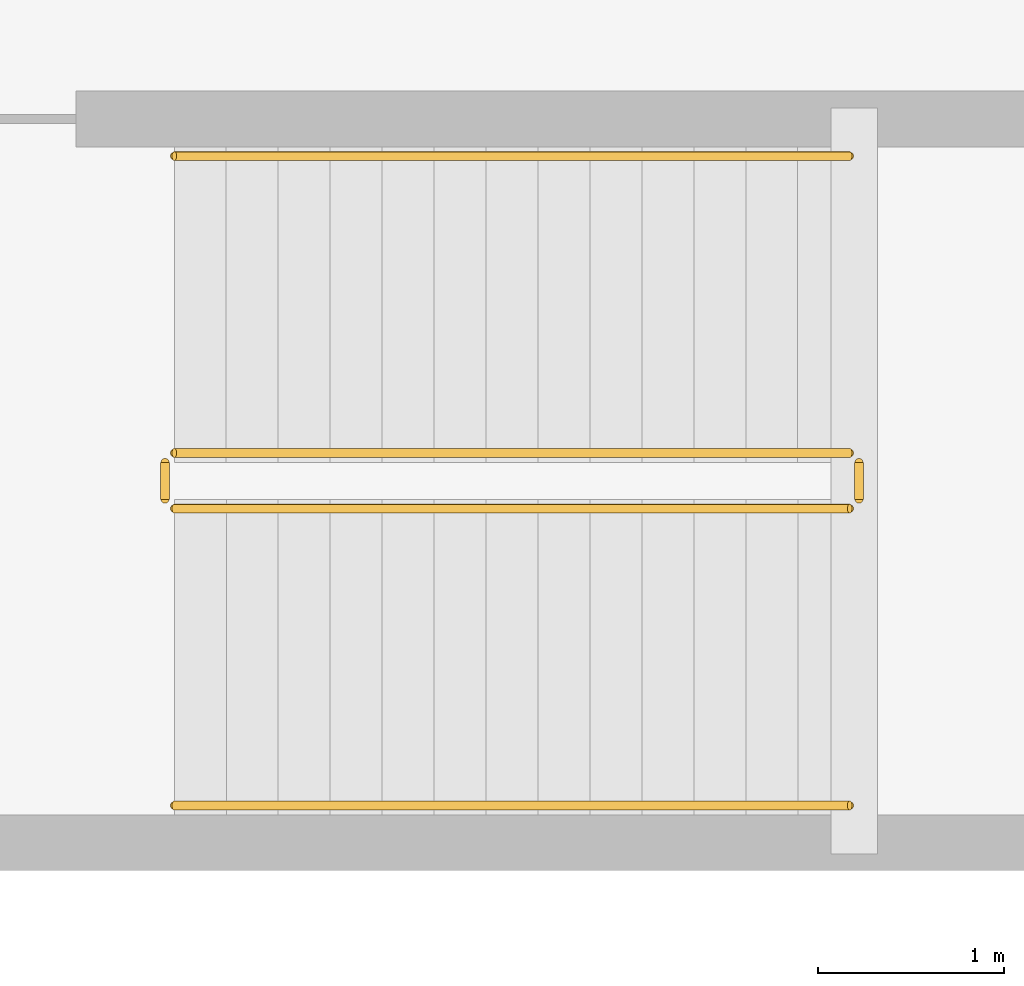
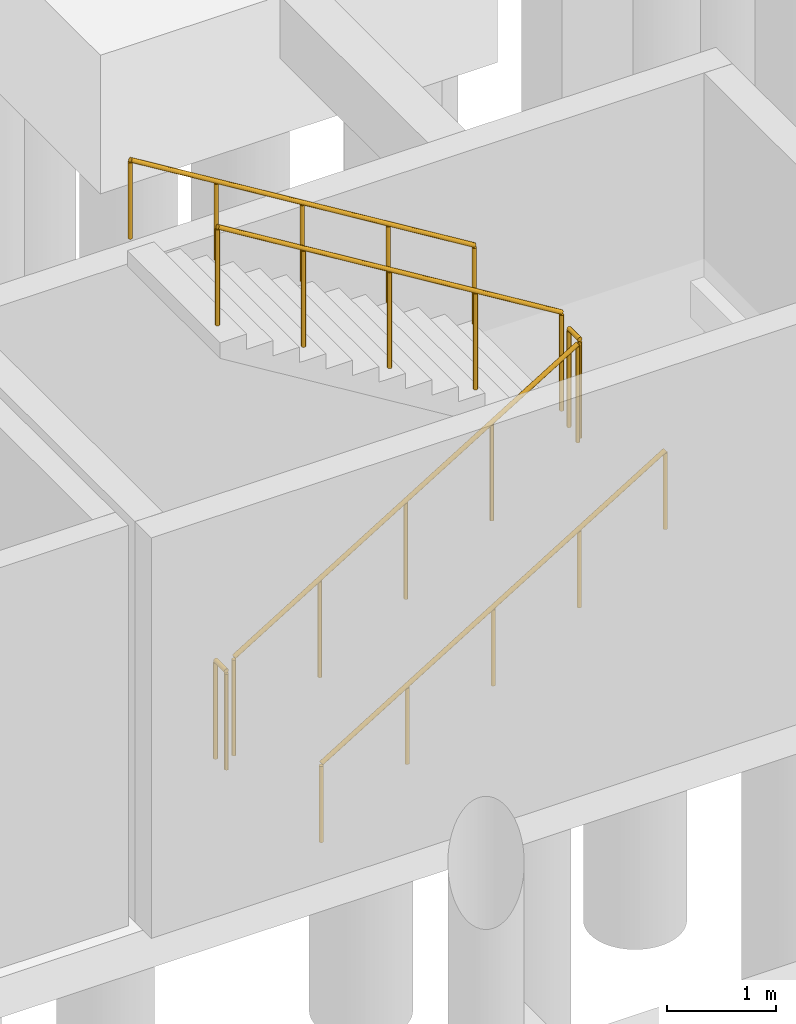
# One storey, part 32 of 35: 6 railings.
"""IFC4 building model written with IfcOpenShell, lengths in metres."""

from ifc_helpers import new_model, si_unit, direction, frame, origin, origin_2d, place, context, subcontext, project, spatial, circle, extrude, material, type_object, element, save


model = new_model("IFC4")

# Units and contexts
model_context = context("Model", 3, precision=1e-05, world=origin(), true_north=direction((0.0, 1.0)))
body_context = subcontext(model_context, "Body", "Model", "MODEL_VIEW")
ifc_project = project(units=[si_unit("LENGTHUNIT", "METRE"), si_unit("AREAUNIT", "SQUARE_METRE"), si_unit("VOLUMEUNIT", "CUBIC_METRE"), si_unit("PLANEANGLEUNIT", "RADIAN"), si_unit("MASSUNIT", "GRAM", prefix="KILO"), si_unit("THERMODYNAMICTEMPERATUREUNIT", "KELVIN"), si_unit("POWERUNIT", "WATT")], contexts=[model_context])

# Site, building, storey
site_placement = place(None, origin())
site = spatial("IfcSite", under=ifc_project, at=site_placement, CompositionType="ELEMENT")
building_placement = place(site_placement, origin())
building = spatial("IfcBuilding", under=site, at=building_placement, Name="Kaldorven Railside Theatre", CompositionType="ELEMENT")
storey_placement = place(building_placement, frame((0.0, 0.0, -4.800048828125)))
storey = spatial("IfcBuildingStorey", under=building, at=storey_placement, Name="B1", CompositionType="ELEMENT", Elevation=-4.800048828125)

# Railings
ifc_material = material(Name="Steel S355", Category="steel")
railing_type_1 = type_object("IfcRailingType", Name="RLG-STG-1100", PredefinedType="BALUSTRADE", material=ifc_material)
railing_1_placement = place(storey_placement, frame((109.25, 21.0, 0.17138671875)))
element("IfcRailing", 1, at=railing_1_placement, inside=storey, type_object=railing_type_1, Name="B1 ST-04 stair guard 1", PredefinedType="BALUSTRADE", context=body_context, shape_type="SweptSolid", body=[
    extrude(circle(Radius=0.02392578125, at=origin_2d()), frame((0.0, 0.0, 1.09619140625), z_axis=(0.852824790078, 0.0, 0.522197163366), x_axis=(0.0, 1.0, 0.0)), (0.0, 0.0, 1.0), 4.26806640625),
    extrude(circle(Radius=0.02099609375, at=origin_2d()), origin(), (0.0, 0.0, 1.0), 1.072021484375),
    extrude(circle(Radius=0.02099609375, at=origin_2d()), frame((0.909912109375, 0.0, 0.55712890625)), (0.0, 0.0, 1.0), 1.072021484375),
    extrude(circle(Radius=0.02099609375, at=origin_2d()), frame((1.81982421875, 0.0, 1.1142578125)), (0.0, 0.0, 1.0), 1.072021484375),
    extrude(circle(Radius=0.02099609375, at=origin_2d()), frame((2.72998046875, 0.0, 1.671630859375)), (0.0, 0.0, 1.0), 1.072021484375),
    extrude(circle(Radius=0.02099609375, at=origin_2d()), frame((3.639892578125, 0.0, 2.228759765625)), (0.0, 0.0, 1.0), 1.072021484375),
])
railing_2_placement = place(storey_placement, frame((112.93994140625, 21.050048828125, 2.400146484375)))
element("IfcRailing", 2, at=railing_2_placement, inside=storey, type_object=railing_type_1, Name="B1 ST-04 stair guard 2", PredefinedType="BALUSTRADE", context=body_context, shape_type="SweptSolid", body=[
    extrude(circle(Radius=0.02392578125, at=origin_2d()), frame((0.0, 0.0, 1.09619140625), z_axis=(0.0, 1.0, 0.0), x_axis=(-1.0, 0.0, 0.0)), (0.0, 0.0, 1.0), 0.199951171875),
    extrude(circle(Radius=0.02099609375, at=origin_2d()), origin(), (0.0, 0.0, 1.0), 1.072021484375),
    extrude(circle(Radius=0.02099609375, at=origin_2d()), frame((0.0, 0.199951171875, 0.0)), (0.0, 0.0, 1.0), 1.072021484375),
])
railing_3_placement = place(storey_placement, frame((112.889892578125, 21.300048828125, 2.571533203125)))
element("IfcRailing", 3, at=railing_3_placement, inside=storey, type_object=railing_type_1, Name="B1 ST-04 stair guard 3", PredefinedType="BALUSTRADE", context=body_context, shape_type="SweptSolid", body=[
    extrude(circle(Radius=0.02392578125, at=origin_2d()), frame((0.0, 0.0, 1.09619140625), z_axis=(-0.852850264322, 0.0, 0.5221555579), x_axis=(0.0, -1.0, 0.0)), (0.0, 0.0, 1.0), 4.267822265625),
    extrude(circle(Radius=0.02099609375, at=origin_2d()), origin(), (0.0, 0.0, 1.0), 1.072021484375),
    extrude(circle(Radius=0.02099609375, at=origin_2d()), frame((-0.909912109375, 0.0, 0.55712890625)), (0.0, 0.0, 1.0), 1.072021484375),
    extrude(circle(Radius=0.02099609375, at=origin_2d()), frame((-1.81982421875, 0.0, 1.1142578125)), (0.0, 0.0, 1.0), 1.072021484375),
    extrude(circle(Radius=0.02099609375, at=origin_2d()), frame((-2.72998046875, 0.0, 1.67138671875)), (0.0, 0.0, 1.0), 1.072021484375),
    extrude(circle(Radius=0.02099609375, at=origin_2d()), frame((-3.639892578125, 0.0, 2.228515625)), (0.0, 0.0, 1.0), 1.072021484375),
])
railing_4_placement = place(storey_placement, frame((109.199951171875, 21.050048828125, 0.0)))
element("IfcRailing", 4, at=railing_4_placement, inside=storey, type_object=railing_type_1, Name="B1 ST-04 stair guard 4", PredefinedType="BALUSTRADE", context=body_context, shape_type="SweptSolid", body=[
    extrude(circle(Radius=0.02392578125, at=origin_2d()), frame((0.0, 0.0, 1.09619140625), z_axis=(0.0, 1.0, 0.0), x_axis=(-1.0, 0.0, 0.0)), (0.0, 0.0, 1.0), 0.199951171875),
    extrude(circle(Radius=0.02099609375, at=origin_2d()), origin(), (0.0, 0.0, 1.0), 1.072021484375),
    extrude(circle(Radius=0.02099609375, at=origin_2d()), frame((0.0, 0.199951171875, 0.0)), (0.0, 0.0, 1.0), 1.072021484375),
])
railing_type_2 = type_object("IfcRailingType", Name="RLG-STH-900", PredefinedType="HANDRAIL", material=ifc_material)
railing_5_placement = place(storey_placement, frame((109.25, 19.39990234375, 0.17138671875)))
element("IfcRailing", 5, at=railing_5_placement, inside=storey, type_object=railing_type_2, Name="B1 ST-04 stair handrail 1", PredefinedType="HANDRAIL", context=body_context, shape_type="SweptSolid", body=[
    extrude(circle(Radius=0.02392578125, at=origin_2d()), frame((0.0, 0.0, 0.8759765625), z_axis=(0.852824790078, 0.0, 0.522197163366), x_axis=(0.0, 1.0, 0.0)), (0.0, 0.0, 1.0), 4.26806640625),
    extrude(circle(Radius=0.02099609375, at=origin_2d()), origin(), (0.0, 0.0, 1.0), 0.851806640625),
    extrude(circle(Radius=0.02099609375, at=origin_2d()), frame((0.909912109375, 0.0, 0.55712890625)), (0.0, 0.0, 1.0), 0.851806640625),
    extrude(circle(Radius=0.02099609375, at=origin_2d()), frame((1.81982421875, 0.0, 1.1142578125)), (0.0, 0.0, 1.0), 0.851806640625),
    extrude(circle(Radius=0.02099609375, at=origin_2d()), frame((2.72998046875, 0.0, 1.671630859375)), (0.0, 0.0, 1.0), 0.851806640625),
    extrude(circle(Radius=0.02099609375, at=origin_2d()), frame((3.639892578125, 0.0, 2.228759765625)), (0.0, 0.0, 1.0), 0.851806640625),
])
railing_6_placement = place(storey_placement, frame((112.889892578125, 22.89990234375, 2.571533203125)))
element("IfcRailing", 6, at=railing_6_placement, inside=storey, type_object=railing_type_2, Name="B1 ST-04 stair handrail 2", PredefinedType="HANDRAIL", context=body_context, shape_type="SweptSolid", body=[
    extrude(circle(Radius=0.02392578125, at=origin_2d()), frame((0.0, 0.0, 0.8759765625), z_axis=(-0.852850264322, 0.0, 0.5221555579), x_axis=(0.0, -1.0, 0.0)), (0.0, 0.0, 1.0), 4.267822265625),
    extrude(circle(Radius=0.02099609375, at=origin_2d()), origin(), (0.0, 0.0, 1.0), 0.851806640625),
    extrude(circle(Radius=0.02099609375, at=origin_2d()), frame((-0.909912109375, 0.0, 0.55712890625)), (0.0, 0.0, 1.0), 0.851806640625),
    extrude(circle(Radius=0.02099609375, at=origin_2d()), frame((-1.81982421875, 0.0, 1.1142578125)), (0.0, 0.0, 1.0), 0.851806640625),
    extrude(circle(Radius=0.02099609375, at=origin_2d()), frame((-2.72998046875, 0.0, 1.67138671875)), (0.0, 0.0, 1.0), 0.851806640625),
    extrude(circle(Radius=0.02099609375, at=origin_2d()), frame((-3.639892578125, 0.0, 2.228515625)), (0.0, 0.0, 1.0), 0.851806640625),
])

save(model, "model.ifc")
